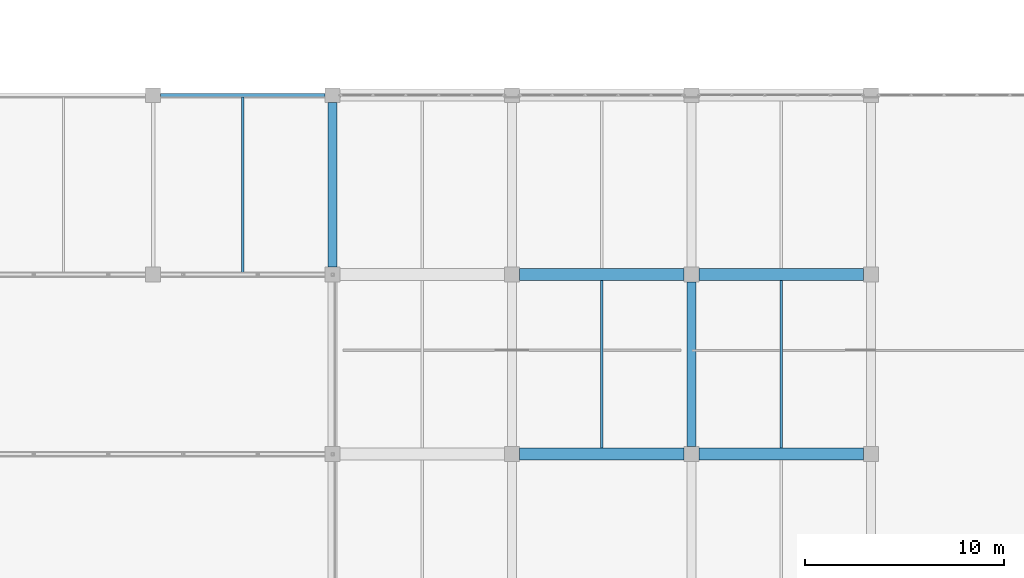
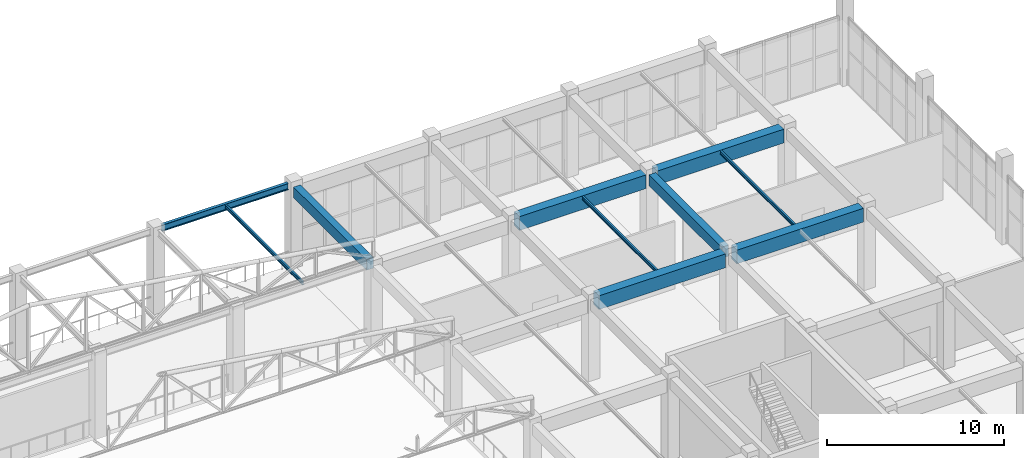
# One storey, part 73 of 223: 10 beams.
"""IFC4 building model written with IfcOpenShell, lengths in metres."""

from ifc_helpers import new_model, si_unit, direction, frame, origin, origin_2d, place, context, subcontext, project, spatial, rectangle, i_section, extrude, material, material_profile, profile_set, type_object, element, save


model = new_model("IFC4")

# Units and contexts
model_context = context("Model", 3, precision=1e-05, world=origin(), true_north=direction((0.0, 1.0)))
body_context = subcontext(model_context, "Body", "Model", "MODEL_VIEW")
ifc_project = project(units=[si_unit("LENGTHUNIT", "METRE"), si_unit("AREAUNIT", "SQUARE_METRE"), si_unit("VOLUMEUNIT", "CUBIC_METRE"), si_unit("PLANEANGLEUNIT", "RADIAN"), si_unit("MASSUNIT", "GRAM", prefix="KILO")], contexts=[model_context])

# Site, building, storey
site_placement = place(None, origin())
site = spatial("IfcSite", under=ifc_project, at=site_placement, CompositionType="ELEMENT")
building_placement = place(site_placement, origin())
building = spatial("IfcBuilding", under=site, at=building_placement, Name="Dornveld Trade and Exhibition Forum", CompositionType="ELEMENT")
storey_placement = place(building_placement, frame((0.0, 0.0, 6.0)))
storey = spatial("IfcBuildingStorey", under=building, at=storey_placement, Name="L01", CompositionType="ELEMENT", Elevation=6.0)

# Beams
ifc_material_1 = material(Name="Steel S355J2", Category="steel")
ifc_material_profile_1 = material_profile(ifc_material_1, i_section(OverallWidth=0.1201171875, OverallDepth=0.239990234375, WebThickness=0.006103515625, FlangeThickness=0.009765625, FilletRadius=0.014892578125, at=origin_2d()), Name="IPE 240")
ifc_profile_set_1 = profile_set([ifc_material_profile_1], Name="Steel S355J2")
beam_type_1 = type_object("IfcBeamType", Name="BM-JOIST-240", PredefinedType="JOIST", material=ifc_profile_set_1)
for number, where, z_axis, x_axis, name in (
    (1, (211.5, 36.297119140625, 5.52001953125), (0.0, 1.0, 0.0), (-1.0, 0.0, 0.0), "L01 secondary joist 1326"),
    (2, (220.5, 36.297119140625, 5.52001953125), (0.0, 1.0, 0.0), (-1.0, 0.0, 0.0), "L01 secondary joist 1332"),
):
    element("IfcBeam", number, at=place(storey_placement, frame(where, z_axis=z_axis, x_axis=x_axis)), inside=storey, type_object=beam_type_1, Name=name, PredefinedType="JOIST", context=body_context, shape_type="SweptSolid", body=[
        extrude(i_section(OverallWidth=0.1201171875, OverallDepth=0.239990234375, WebThickness=0.006103515625, FlangeThickness=0.009765625, FilletRadius=0.014892578125, at=origin_2d()), origin(), (0.0, 0.0, 1.0), 8.40576171875),
    ])
beam_1_placement = place(storey_placement, frame((193.5, 45.092041015625, 5.659912109375), z_axis=(0.0, 1.0, 0.0), x_axis=(-1.0, 0.0, 0.0)))
element("IfcBeam", 3, at=beam_1_placement, inside=storey, type_object=beam_type_1, Name="L01 secondary joist 1756", PredefinedType="JOIST", context=body_context, shape_type="SweptSolid", body=[
    extrude(i_section(OverallWidth=0.1201171875, OverallDepth=0.239990234375, WebThickness=0.006103515625, FlangeThickness=0.009765625, FilletRadius=0.014892578125, at=origin_2d()), origin(), (0.0, 0.0, 1.0), 8.81591796875),
])
ifc_material_2 = material(Name="Precast concrete C50/60", Category="concrete")
ifc_material_profile_2 = material_profile(ifc_material_2, rectangle(XDim=0.449951171875, YDim=0.75, at=origin_2d()), Name="PC-BM 450x750")
ifc_profile_set_2 = profile_set([ifc_material_profile_2], Name="Precast concrete C50/60")
beam_type_2 = type_object("IfcBeamType", Name="BM-PC-450x750", PredefinedType="BEAM", material=ifc_profile_set_2)
for number, where, z_axis, x_axis, name in (
    (4, (198.0, 45.37109375, 5.264892578125), (0.0, 1.0, 0.0), (-1.0, 0.0, 0.0), "L01 Y-girder 1300"),
    (5, (216.0, 36.37109375, 5.264892578125), (0.0, 1.0, 0.0), (-1.0, 0.0, 0.0), "L01 Y-girder 1311"),
):
    element("IfcBeam", number, at=place(storey_placement, frame(where, z_axis=z_axis, x_axis=x_axis)), inside=storey, type_object=beam_type_2, Name=name, PredefinedType="BEAM", context=body_context, shape_type="SweptSolid", body=[
        extrude(rectangle(XDim=0.449951171875, YDim=0.75, at=origin_2d()), origin(), (0.0, 0.0, 1.0), 8.2578125),
    ])
ifc_material_3 = material(Name="Precast concrete C50/60", Category="concrete")
ifc_material_profile_3 = material_profile(ifc_material_3, rectangle(XDim=0.60009765625, YDim=0.949951171875, at=origin_2d()), Name="PC-GIR 600x950")
ifc_profile_set_3 = profile_set([ifc_material_profile_3], Name="Precast concrete C50/60")
beam_type_3 = type_object("IfcBeamType", Name="BM-PC-600x950", PredefinedType="T_BEAM", material=ifc_profile_set_3)
for number, where, z_axis, x_axis, name in (
    (6, (207.37109375, 36.0, 5.1650390625), (1.0, 0.0, 0.0), (0.0, 1.0, 0.0), "L01 X-girder 1287"),
    (7, (216.37109375, 36.0, 5.1650390625), (1.0, 0.0, 0.0), (0.0, 1.0, 0.0), "L01 X-girder 1288"),
    (8, (207.37109375, 45.0, 5.1650390625), (1.0, 0.0, 0.0), (0.0, 1.0, 0.0), "L01 X-girder 1290"),
    (9, (216.37109375, 45.0, 5.1650390625), (1.0, 0.0, 0.0), (0.0, 1.0, 0.0), "L01 X-girder 1291"),
):
    element("IfcBeam", number, at=place(storey_placement, frame(where, z_axis=z_axis, x_axis=x_axis)), inside=storey, type_object=beam_type_3, Name=name, PredefinedType="T_BEAM", context=body_context, shape_type="SweptSolid", body=[
        extrude(rectangle(XDim=0.60009765625, YDim=0.949951171875, at=origin_2d()), origin(), (0.0, 0.0, 1.0), 8.2578125),
    ])
ifc_material_4 = material(Name="Steel S355J2", Category="steel")
ifc_material_profile_4 = material_profile(ifc_material_4, i_section(OverallWidth=0.18994140625, OverallDepth=0.449951171875, WebThickness=0.009521484375, FlangeThickness=0.0146484375, FilletRadius=0.02099609375, at=origin_2d()), Name="IPE 450")
ifc_profile_set_4 = profile_set([ifc_material_profile_4], Name="Steel S355J2")
beam_type_4 = type_object("IfcBeamType", Name="BM-SEC-450", PredefinedType="BEAM", material=ifc_profile_set_4)
beam_2_placement = place(storey_placement, frame((189.37109375, 54.0, 5.554931640625), z_axis=(1.0, 0.0, 0.0), x_axis=(0.0, 1.0, 0.0)))
element("IfcBeam", 10, at=beam_2_placement, inside=storey, type_object=beam_type_4, Name="L01 X-girder 1745", PredefinedType="BEAM", context=body_context, shape_type="SweptSolid", body=[
    extrude(i_section(OverallWidth=0.18994140625, OverallDepth=0.449951171875, WebThickness=0.009521484375, FlangeThickness=0.0146484375, FilletRadius=0.02099609375, at=origin_2d()), origin(), (0.0, 0.0, 1.0), 8.2578125),
])

save(model, "model.ifc")
